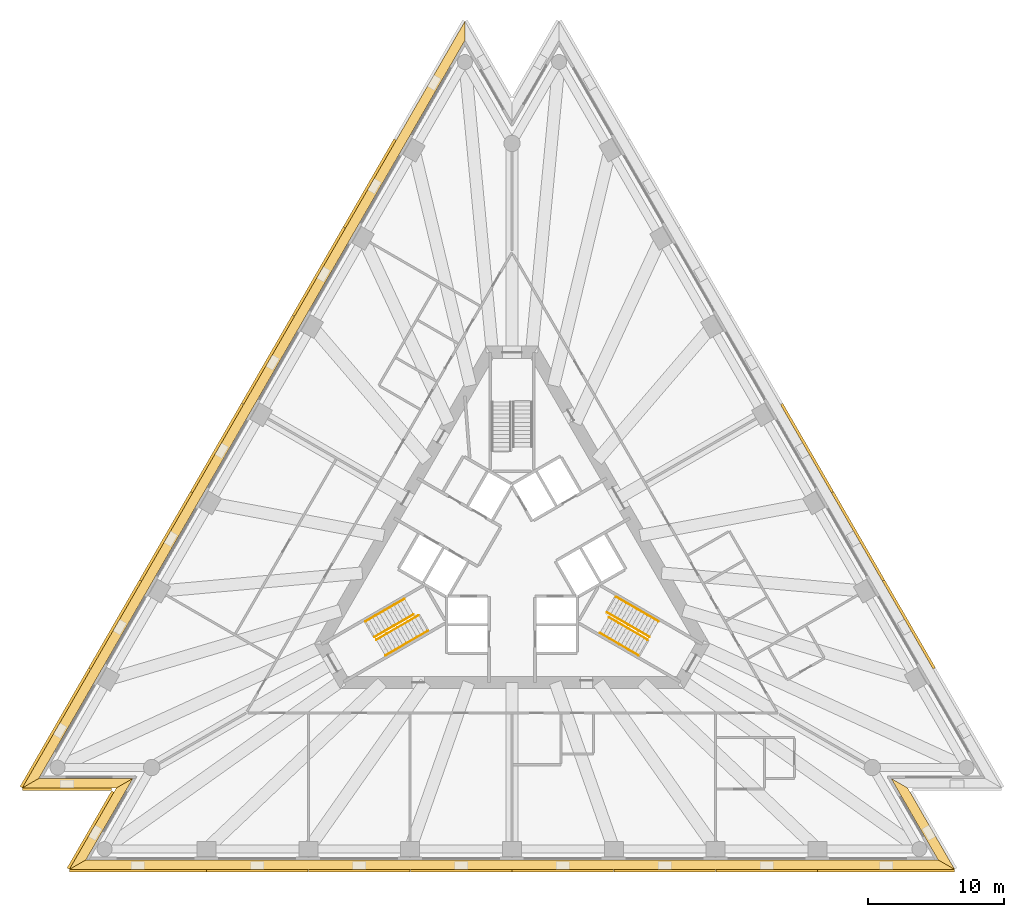
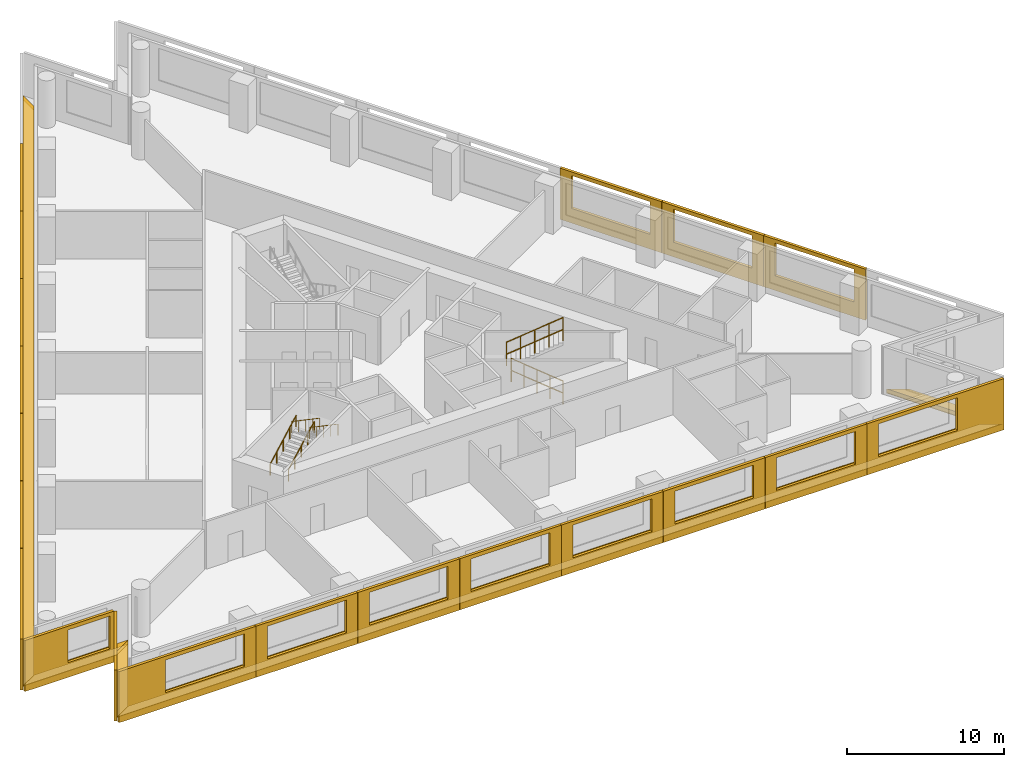
# One storey, part 8 of 9: 25 shading devices, 8 railings, 5 coverings, 2 elements without a shape of their own.
"""IFC4 building model written with IfcOpenShell, lengths in metres."""

from ifc_helpers import new_model, si_unit, direction, frame, origin, origin_2d, place, context, subcontext, project, spatial, polyline, circle, outline, extrude, material, layer, layer_set, layer_usage, type_object, element, aggregate, save


model = new_model("IFC4")

# Units and contexts
model_context = context("Model", 3, precision=1e-05, world=origin(), true_north=direction((0.0, 1.0)))
body_context = subcontext(model_context, "Body", "Model", "MODEL_VIEW")
ifc_project = project(units=[si_unit("LENGTHUNIT", "METRE"), si_unit("AREAUNIT", "SQUARE_METRE"), si_unit("VOLUMEUNIT", "CUBIC_METRE"), si_unit("PLANEANGLEUNIT", "RADIAN"), si_unit("MASSUNIT", "GRAM", prefix="KILO")], contexts=[model_context])

# Site, building, storey
site_placement = place(None, origin())
site = spatial("IfcSite", under=ifc_project, at=site_placement, CompositionType="ELEMENT")
building_placement = place(site_placement, origin())
building = spatial("IfcBuilding", under=site, at=building_placement, Name="Triada Interchange Tower", CompositionType="ELEMENT")
storey_placement = place(building_placement, frame((0.0, 0.0, 51.300048828125)))
storey = spatial("IfcBuildingStorey", under=building, at=storey_placement, Name="L10", CompositionType="ELEMENT", Elevation=51.300048828125)

# Coverings
ifc_material_1 = material(Name="Mineral fire-stop board")
ifc_layer_1 = layer(ifc_material_1, 0.0400390625, Name="Mineral fire-stop board")
ifc_material_2 = material(Name="Intumescent sealant")
ifc_layer_2 = layer(ifc_material_2, 0.010009765625, Name="Intumescent seal")
ifc_layer_set_1 = layer_set([ifc_layer_1, ifc_layer_2], Name="Cavity fire stop")
ifc_layer_usage = layer_usage(ifc_layer_set_1, "AXIS3", "POSITIVE", 0.0)
covering_type = type_object("IfcCoveringType", Name="Cavity fire stop", PredefinedType="INSULATION", material=ifc_layer_set_1)
covering_1_placement = place(storey_placement, origin())
element("IfcCovering", 1, at=covering_1_placement, inside=storey, type_object=covering_type, material=ifc_layer_usage, Name="Cavity fire stop L10 NW", PredefinedType="INSULATION", context=body_context, shape_type="SweptSolid", body=[
    extrude(outline(polyline([(-3.4619140625, 38.218017578125), (-3.4619140625, 39.617919921875), (-36.041015625, -16.81103515625), (-34.8291015625, -16.111083984375), (-3.4619140625, 38.218017578125)])), origin(), (0.0, 0.0, 1.0), 0.050048828125),
])
covering_2_placement = place(storey_placement, origin())
element("IfcCovering", 2, at=covering_2_placement, inside=storey, type_object=covering_type, material=ifc_layer_usage, Name="Cavity fire stop L10 SW-1", PredefinedType="INSULATION", context=body_context, shape_type="SweptSolid", body=[
    extrude(outline(polyline([(-34.8291015625, -16.111083984375), (-36.041015625, -16.81103515625), (-29.116943359375, -16.81103515625), (-27.905029296875, -16.111083984375), (-34.8291015625, -16.111083984375)])), origin(), (0.0, 0.0, 1.0), 0.050048828125),
])
covering_3_placement = place(storey_placement, origin())
element("IfcCovering", 3, at=covering_3_placement, inside=storey, type_object=covering_type, material=ifc_layer_usage, Name="Cavity fire stop L10 SW-2", PredefinedType="INSULATION", context=body_context, shape_type="SweptSolid", body=[
    extrude(outline(polyline([(-27.905029296875, -16.111083984375), (-29.116943359375, -16.81103515625), (-32.5791015625, -22.806884765625), (-31.366943359375, -22.10693359375), (-27.905029296875, -16.111083984375)])), origin(), (0.0, 0.0, 1.0), 0.050048828125),
])
covering_4_placement = place(storey_placement, origin())
element("IfcCovering", 4, at=covering_4_placement, inside=storey, type_object=covering_type, material=ifc_layer_usage, Name="Cavity fire stop L10 S", PredefinedType="INSULATION", context=body_context, shape_type="SweptSolid", body=[
    extrude(outline(polyline([(-31.366943359375, -22.10693359375), (-32.5791015625, -22.806884765625), (32.5791015625, -22.806884765625), (31.366943359375, -22.10693359375), (-31.366943359375, -22.10693359375)])), origin(), (0.0, 0.0, 1.0), 0.050048828125),
])
covering_5_placement = place(storey_placement, origin())
element("IfcCovering", 5, at=covering_5_placement, inside=storey, type_object=covering_type, material=ifc_layer_usage, Name="Cavity fire stop L10 SE-1", PredefinedType="INSULATION", context=body_context, shape_type="SweptSolid", body=[
    extrude(outline(polyline([(31.366943359375, -22.10693359375), (32.5791015625, -22.806884765625), (29.116943359375, -16.81103515625), (27.905029296875, -16.111083984375), (31.366943359375, -22.10693359375)])), origin(), (0.0, 0.0, 1.0), 0.050048828125),
])

# Shading devices
ifc_material_3 = material(Name="Aluminium louvre", Category="aluminium")
shading_device_type_1 = type_object("IfcShadingDeviceType", Name="Cavity louvre grille", PredefinedType="JALOUSIE", material=ifc_material_3)
shading_device_1_placement = place(storey_placement, frame((0.0, 0.0, 0.050048828125)))
element("IfcShadingDevice", 6, at=shading_device_1_placement, inside=storey, type_object=shading_device_type_1, Name="Cavity louvre grille L10 NW", PredefinedType="JALOUSIE", context=body_context, shape_type="SweptSolid", body=[
    extrude(outline(polyline([(-3.4619140625, 38.218017578125), (-3.4619140625, 39.617919921875), (-36.041015625, -16.81103515625), (-34.8291015625, -16.111083984375), (-3.4619140625, 38.218017578125)])), origin(), (0.0, 0.0, 1.0), 0.2998046875),
])
shading_device_2_placement = place(storey_placement, frame((0.0, 0.0, 0.050048828125)))
element("IfcShadingDevice", 7, at=shading_device_2_placement, inside=storey, type_object=shading_device_type_1, Name="Cavity louvre grille L10 SW-1", PredefinedType="JALOUSIE", context=body_context, shape_type="SweptSolid", body=[
    extrude(outline(polyline([(-34.8291015625, -16.111083984375), (-36.041015625, -16.81103515625), (-29.116943359375, -16.81103515625), (-27.905029296875, -16.111083984375), (-34.8291015625, -16.111083984375)])), origin(), (0.0, 0.0, 1.0), 0.2998046875),
])
shading_device_3_placement = place(storey_placement, frame((0.0, 0.0, 0.050048828125)))
element("IfcShadingDevice", 8, at=shading_device_3_placement, inside=storey, type_object=shading_device_type_1, Name="Cavity louvre grille L10 SW-2", PredefinedType="JALOUSIE", context=body_context, shape_type="SweptSolid", body=[
    extrude(outline(polyline([(-27.905029296875, -16.111083984375), (-29.116943359375, -16.81103515625), (-32.5791015625, -22.806884765625), (-31.366943359375, -22.10693359375), (-27.905029296875, -16.111083984375)])), origin(), (0.0, 0.0, 1.0), 0.2998046875),
])
shading_device_4_placement = place(storey_placement, frame((0.0, 0.0, 0.050048828125)))
element("IfcShadingDevice", 9, at=shading_device_4_placement, inside=storey, type_object=shading_device_type_1, Name="Cavity louvre grille L10 S", PredefinedType="JALOUSIE", context=body_context, shape_type="SweptSolid", body=[
    extrude(outline(polyline([(-31.366943359375, -22.10693359375), (-32.5791015625, -22.806884765625), (32.5791015625, -22.806884765625), (31.366943359375, -22.10693359375), (-31.366943359375, -22.10693359375)])), origin(), (0.0, 0.0, 1.0), 0.2998046875),
])
shading_device_5_placement = place(storey_placement, frame((0.0, 0.0, 0.050048828125)))
element("IfcShadingDevice", 10, at=shading_device_5_placement, inside=storey, type_object=shading_device_type_1, Name="Cavity louvre grille L10 SE-1", PredefinedType="JALOUSIE", context=body_context, shape_type="SweptSolid", body=[
    extrude(outline(polyline([(31.366943359375, -22.10693359375), (32.5791015625, -22.806884765625), (29.116943359375, -16.81103515625), (27.905029296875, -16.111083984375), (31.366943359375, -22.10693359375)])), origin(), (0.0, 0.0, 1.0), 0.2998046875),
])
ifc_material_4 = material(Name="Concrete C50/60 precast", Category="concrete")
ifc_layer_3 = layer(ifc_material_4, 0.02001953125, Name="Exposed aggregate face")
ifc_layer_4 = layer(ifc_material_4, 0.179931640625, Name="Precast concrete screen")
ifc_layer_set_2 = layer_set([ifc_layer_3, ifc_layer_4], Name="Outer skin screen panel 3980")
shading_device_type_2 = type_object("IfcShadingDeviceType", Name="Outer skin screen panel 3980", PredefinedType="SHUTTER", material=ifc_layer_set_2)
shading_device_6_placement = place(storey_placement, frame((-8.513916015625, 30.867919921875, -0.2900390625), z_axis=(0.0, 0.0, 1.0), x_axis=(-0.499936381736, -0.866062130691, 0.0)))
element("IfcShadingDevice", 11, at=shading_device_6_placement, inside=storey, type_object=shading_device_type_2, Name="Outer skin screen panel L10 02", PredefinedType="SHUTTER", context=body_context, shape_type="SweptSolid", body=[
    extrude(outline(polyline([(0.0, 0.0), (7.47509765625, 0.0), (7.47509765625, 3.97998046875), (0.0, 3.97998046875), (0.0, 0.0)]), holes=[polyline([(0.837158203125, 1.139892578125), (0.837158203125, 3.68994140625), (6.63720703125, 3.68994140625), (6.63720703125, 1.139892578125), (0.837158203125, 1.139892578125)])]), frame((0.0, 0.0, 0.0), z_axis=(0.0, -1.0, 0.0), x_axis=(1.0, 0.0, 0.0)), (0.0, 0.0, 1.0), 0.199951171875),
])
shading_device_7_placement = place(storey_placement, frame((-12.260986328125, 24.376953125, -0.2900390625), z_axis=(0.0, 0.0, 1.0), x_axis=(-0.50003436236, -0.866005563758, 0.0)))
element("IfcShadingDevice", 12, at=shading_device_7_placement, inside=storey, type_object=shading_device_type_2, Name="Outer skin screen panel L10 03", PredefinedType="SHUTTER", context=body_context, shape_type="SweptSolid", body=[
    extrude(outline(polyline([(0.0, 0.0), (7.4755859375, 0.0), (7.4755859375, 3.97998046875), (0.0, 3.97998046875), (0.0, 0.0)]), holes=[polyline([(0.837890625, 1.139892578125), (0.837890625, 3.68994140625), (6.637939453125, 3.68994140625), (6.637939453125, 1.139892578125), (0.837890625, 1.139892578125)])]), frame((0.0, 0.0, 0.0), z_axis=(0.0, -1.0, 0.0), x_axis=(1.0, 0.0, 0.0)), (0.0, 0.0, 1.0), 0.199951171875),
])
shading_device_8_placement = place(storey_placement, frame((-16.009033203125, 17.885986328125, -0.2900390625), z_axis=(0.0, 0.0, 1.0), x_axis=(-0.50003436236, -0.866005563758, 0.0)))
element("IfcShadingDevice", 13, at=shading_device_8_placement, inside=storey, type_object=shading_device_type_2, Name="Outer skin screen panel L10 04", PredefinedType="SHUTTER", context=body_context, shape_type="SweptSolid", body=[
    extrude(outline(polyline([(0.0, 0.0), (7.4755859375, 0.0), (7.4755859375, 3.97998046875), (0.0, 3.97998046875), (0.0, 0.0)]), holes=[polyline([(0.837646484375, 1.139892578125), (0.837646484375, 3.68994140625), (6.6376953125, 3.68994140625), (6.6376953125, 1.139892578125), (0.837646484375, 1.139892578125)])]), frame((0.0, 0.0, 0.0), z_axis=(0.0, -1.0, 0.0), x_axis=(1.0, 0.0, 0.0)), (0.0, 0.0, 1.0), 0.199951171875),
])
shading_device_9_placement = place(storey_placement, frame((-19.757080078125, 11.39501953125, -0.2900390625), z_axis=(0.0, 0.0, 1.0), x_axis=(-0.499897742873, -0.866084433915, 0.0)))
element("IfcShadingDevice", 14, at=shading_device_9_placement, inside=storey, type_object=shading_device_type_2, Name="Outer skin screen panel L10 05", PredefinedType="SHUTTER", context=body_context, shape_type="SweptSolid", body=[
    extrude(outline(polyline([(0.0, 0.0), (7.47509765625, 0.0), (7.47509765625, 3.97998046875), (0.0, 3.97998046875), (0.0, 0.0)]), holes=[polyline([(0.83740234375, 1.139892578125), (0.83740234375, 3.68994140625), (6.63720703125, 3.68994140625), (6.63720703125, 1.139892578125), (0.83740234375, 1.139892578125)])]), frame((0.0, 0.0, 0.0), z_axis=(0.0, -1.0, 0.0), x_axis=(1.0, 0.0, 0.0)), (0.0, 0.0, 1.0), 0.199951171875),
])
shading_device_10_placement = place(storey_placement, frame((-23.50390625, 4.904052734375, -0.2900390625), z_axis=(0.0, 0.0, 1.0), x_axis=(-0.500020220498, -0.86601372916, 0.0)))
element("IfcShadingDevice", 15, at=shading_device_10_placement, inside=storey, type_object=shading_device_type_2, Name="Outer skin screen panel L10 06", PredefinedType="SHUTTER", context=body_context, shape_type="SweptSolid", body=[
    extrude(outline(polyline([(0.0, 0.0), (7.475830078125, 0.0), (7.475830078125, 3.97998046875), (0.0, 3.97998046875), (0.0, 0.0)]), holes=[polyline([(0.838134765625, 1.139892578125), (0.838134765625, 3.68994140625), (6.63818359375, 3.68994140625), (6.63818359375, 1.139892578125), (0.838134765625, 1.139892578125)])]), frame((0.0, 0.0, 0.0), z_axis=(0.0, -1.0, 0.0), x_axis=(1.0, 0.0, 0.0)), (0.0, 0.0, 1.0), 0.199951171875),
])
shading_device_11_placement = place(storey_placement, frame((-27.251953125, -1.5869140625, -0.2900390625), z_axis=(0.0, 0.0, 1.0), x_axis=(-0.500020220498, -0.86601372916, 0.0)))
element("IfcShadingDevice", 16, at=shading_device_11_placement, inside=storey, type_object=shading_device_type_2, Name="Outer skin screen panel L10 07", PredefinedType="SHUTTER", context=body_context, shape_type="SweptSolid", body=[
    extrude(outline(polyline([(0.0, 0.0), (7.475830078125, 0.0), (7.475830078125, 3.97998046875), (0.0, 3.97998046875), (0.0, 0.0)]), holes=[polyline([(0.837890625, 1.139892578125), (0.837890625, 3.68994140625), (6.6376953125, 3.68994140625), (6.6376953125, 1.139892578125), (0.837890625, 1.139892578125)])]), frame((0.0, 0.0, 0.0), z_axis=(0.0, -1.0, 0.0), x_axis=(1.0, 0.0, 0.0)), (0.0, 0.0, 1.0), 0.199951171875),
])
shading_device_12_placement = place(storey_placement, frame((-31.0, -8.077880859375, -0.2900390625), z_axis=(0.0, 0.0, 1.0), x_axis=(-0.499926661183, -0.86606774183, 0.0)))
element("IfcShadingDevice", 17, at=shading_device_12_placement, inside=storey, type_object=shading_device_type_2, Name="Outer skin screen panel L10 08", PredefinedType="SHUTTER", context=body_context, shape_type="SweptSolid", body=[
    extrude(outline(polyline([(0.0, 0.0), (10.0732421875, 0.0), (10.0732421875, 3.97998046875), (0.0, 3.97998046875), (0.0, 0.0)]), holes=[polyline([(0.83740234375, 1.139892578125), (0.83740234375, 3.68994140625), (6.637451171875, 3.68994140625), (6.637451171875, 1.139892578125), (0.83740234375, 1.139892578125)])]), frame((0.0, 0.0, 0.0), z_axis=(0.0, -1.0, 0.0), x_axis=(1.0, 0.0, 0.0)), (0.0, 0.0, 1.0), 0.199951171875),
])
shading_device_13_placement = place(storey_placement, frame((-36.031005859375, -16.81103515625, -0.2900390625), z_axis=(0.0, 0.0, 1.0), x_axis=(1.0, 0.0, 0.0)))
element("IfcShadingDevice", 18, at=shading_device_13_placement, inside=storey, type_object=shading_device_type_2, Name="Outer skin screen panel L10 09", PredefinedType="SHUTTER", context=body_context, shape_type="SweptSolid", body=[
    extrude(outline(polyline([(0.0, 0.0), (6.556884765625, 0.0), (6.556884765625, 3.97998046875), (0.0, 3.97998046875), (0.0, 0.0)]), holes=[polyline([(3.175048828125, 1.139892578125), (3.175048828125, 3.68994140625), (6.257080078125, 3.68994140625), (6.257080078125, 1.139892578125), (3.175048828125, 1.139892578125)])]), frame((0.0, 0.0, 0.0), z_axis=(0.0, -1.0, 0.0), x_axis=(1.0, 0.0, 0.0)), (0.0, 0.0, 1.0), 0.199951171875),
])
shading_device_14_placement = place(storey_placement, frame((-29.2958984375, -17.1201171875, -0.2900390625), z_axis=(0.0, 0.0, 1.0), x_axis=(-0.499987845338, -0.866032421168, 0.0)))
element("IfcShadingDevice", 19, at=shading_device_14_placement, inside=storey, type_object=shading_device_type_2, Name="Outer skin screen panel L10 10", PredefinedType="SHUTTER", context=body_context, shape_type="SweptSolid", body=[
    extrude(outline(polyline([(0.0, 0.0), (6.556396484375, 0.0), (6.556396484375, 3.97998046875), (0.0, 3.97998046875), (0.0, 0.0)]), holes=[polyline([(0.300048828125, 1.139892578125), (0.300048828125, 3.68994140625), (2.9580078125, 3.68994140625), (2.9580078125, 1.139892578125), (0.300048828125, 1.139892578125)])]), frame((0.0, 0.0, 0.0), z_axis=(0.0, -1.0, 0.0), x_axis=(1.0, 0.0, 0.0)), (0.0, 0.0, 1.0), 0.199951171875),
])
shading_device_15_placement = place(storey_placement, frame((-32.569091796875, -22.806884765625, -0.2900390625), z_axis=(0.0, 0.0, 1.0), x_axis=(1.0, 0.0, 0.0)))
element("IfcShadingDevice", 20, at=shading_device_15_placement, inside=storey, type_object=shading_device_type_2, Name="Outer skin screen panel L10 11", PredefinedType="SHUTTER", context=body_context, shape_type="SweptSolid", body=[
    extrude(outline(polyline([(0.0, 0.0), (10.072998046875, 0.0), (10.072998046875, 3.97998046875), (0.0, 3.97998046875), (0.0, 0.0)]), holes=[polyline([(3.43603515625, 1.139892578125), (3.43603515625, 3.68994140625), (9.236083984375, 3.68994140625), (9.236083984375, 1.139892578125), (3.43603515625, 1.139892578125)])]), frame((0.0, 0.0, 0.0), z_axis=(0.0, -1.0, 0.0), x_axis=(1.0, 0.0, 0.0)), (0.0, 0.0, 1.0), 0.199951171875),
])
shading_device_16_placement = place(storey_placement, frame((-22.47607421875, -22.806884765625, -0.2900390625), z_axis=(0.0, 0.0, 1.0), x_axis=(1.0, 0.0, 0.0)))
element("IfcShadingDevice", 21, at=shading_device_16_placement, inside=storey, type_object=shading_device_type_2, Name="Outer skin screen panel L10 12", PredefinedType="SHUTTER", context=body_context, shape_type="SweptSolid", body=[
    extrude(outline(polyline([(0.0, 0.0), (7.47509765625, 0.0), (7.47509765625, 3.97998046875), (0.0, 3.97998046875), (0.0, 0.0)]), holes=[polyline([(0.837890625, 1.139892578125), (0.837890625, 3.68994140625), (6.6376953125, 3.68994140625), (6.6376953125, 1.139892578125), (0.837890625, 1.139892578125)])]), frame((0.0, 0.0, 0.0), z_axis=(0.0, -1.0, 0.0), x_axis=(1.0, 0.0, 0.0)), (0.0, 0.0, 1.0), 0.199951171875),
])
shading_device_17_placement = place(storey_placement, frame((-14.97998046875, -22.806884765625, -0.2900390625), z_axis=(0.0, 0.0, 1.0), x_axis=(1.0, 0.0, 0.0)))
element("IfcShadingDevice", 22, at=shading_device_17_placement, inside=storey, type_object=shading_device_type_2, Name="Outer skin screen panel L10 13", PredefinedType="SHUTTER", context=body_context, shape_type="SweptSolid", body=[
    extrude(outline(polyline([(0.0, 0.0), (7.47509765625, 0.0), (7.47509765625, 3.97998046875), (0.0, 3.97998046875), (0.0, 0.0)]), holes=[polyline([(0.83740234375, 1.139892578125), (0.83740234375, 3.68994140625), (6.637451171875, 3.68994140625), (6.637451171875, 1.139892578125), (0.83740234375, 1.139892578125)])]), frame((0.0, 0.0, 0.0), z_axis=(0.0, -1.0, 0.0), x_axis=(1.0, 0.0, 0.0)), (0.0, 0.0, 1.0), 0.199951171875),
])
shading_device_18_placement = place(storey_placement, frame((-7.485107421875, -22.806884765625, -0.2900390625), z_axis=(0.0, 0.0, 1.0), x_axis=(1.0, 0.0, 0.0)))
element("IfcShadingDevice", 23, at=shading_device_18_placement, inside=storey, type_object=shading_device_type_2, Name="Outer skin screen panel L10 14", PredefinedType="SHUTTER", context=body_context, shape_type="SweptSolid", body=[
    extrude(outline(polyline([(0.0, 0.0), (7.47509765625, 0.0), (7.47509765625, 3.97998046875), (0.0, 3.97998046875), (0.0, 0.0)]), holes=[polyline([(0.837158203125, 1.139892578125), (0.837158203125, 3.68994140625), (6.63720703125, 3.68994140625), (6.63720703125, 1.139892578125), (0.837158203125, 1.139892578125)])]), frame((0.0, 0.0, 0.0), z_axis=(0.0, -1.0, 0.0), x_axis=(1.0, 0.0, 0.0)), (0.0, 0.0, 1.0), 0.199951171875),
])
shading_device_19_placement = place(storey_placement, frame((0.010009765625, -22.806884765625, -0.2900390625), z_axis=(0.0, 0.0, 1.0), x_axis=(1.0, 0.0, 0.0)))
element("IfcShadingDevice", 24, at=shading_device_19_placement, inside=storey, type_object=shading_device_type_2, Name="Outer skin screen panel L10 15", PredefinedType="SHUTTER", context=body_context, shape_type="SweptSolid", body=[
    extrude(outline(polyline([(0.0, 0.0), (7.47509765625, 0.0), (7.47509765625, 3.97998046875), (0.0, 3.97998046875), (0.0, 0.0)]), holes=[polyline([(0.837890625, 1.139892578125), (0.837890625, 3.68994140625), (6.637939453125, 3.68994140625), (6.637939453125, 1.139892578125), (0.837890625, 1.139892578125)])]), frame((0.0, 0.0, 0.0), z_axis=(0.0, -1.0, 0.0), x_axis=(1.0, 0.0, 0.0)), (0.0, 0.0, 1.0), 0.199951171875),
])
shading_device_20_placement = place(storey_placement, frame((7.5048828125, -22.806884765625, -0.2900390625), z_axis=(0.0, 0.0, 1.0), x_axis=(1.0, 0.0, 0.0)))
element("IfcShadingDevice", 25, at=shading_device_20_placement, inside=storey, type_object=shading_device_type_2, Name="Outer skin screen panel L10 16", PredefinedType="SHUTTER", context=body_context, shape_type="SweptSolid", body=[
    extrude(outline(polyline([(0.0, 0.0), (7.47607421875, 0.0), (7.47607421875, 3.97998046875), (0.0, 3.97998046875), (0.0, 0.0)]), holes=[polyline([(0.837646484375, 1.139892578125), (0.837646484375, 3.68994140625), (6.6376953125, 3.68994140625), (6.6376953125, 1.139892578125), (0.837646484375, 1.139892578125)])]), frame((0.0, 0.0, 0.0), z_axis=(0.0, -1.0, 0.0), x_axis=(1.0, 0.0, 0.0)), (0.0, 0.0, 1.0), 0.199951171875),
])
shading_device_21_placement = place(storey_placement, frame((15.0009765625, -22.806884765625, -0.2900390625), z_axis=(0.0, 0.0, 1.0), x_axis=(1.0, 0.0, 0.0)))
element("IfcShadingDevice", 26, at=shading_device_21_placement, inside=storey, type_object=shading_device_type_2, Name="Outer skin screen panel L10 17", PredefinedType="SHUTTER", context=body_context, shape_type="SweptSolid", body=[
    extrude(outline(polyline([(0.0, 0.0), (7.47509765625, 0.0), (7.47509765625, 3.97998046875), (0.0, 3.97998046875), (0.0, 0.0)]), holes=[polyline([(0.83740234375, 1.139892578125), (0.83740234375, 3.68994140625), (6.637451171875, 3.68994140625), (6.637451171875, 1.139892578125), (0.83740234375, 1.139892578125)])]), frame((0.0, 0.0, 0.0), z_axis=(0.0, -1.0, 0.0), x_axis=(1.0, 0.0, 0.0)), (0.0, 0.0, 1.0), 0.199951171875),
])
shading_device_22_placement = place(storey_placement, frame((22.49609375, -22.806884765625, -0.2900390625), z_axis=(0.0, 0.0, 1.0), x_axis=(1.0, 0.0, 0.0)))
element("IfcShadingDevice", 27, at=shading_device_22_placement, inside=storey, type_object=shading_device_type_2, Name="Outer skin screen panel L10 18", PredefinedType="SHUTTER", context=body_context, shape_type="SweptSolid", body=[
    extrude(outline(polyline([(0.0, 0.0), (10.072998046875, 0.0), (10.072998046875, 3.97998046875), (0.0, 3.97998046875), (0.0, 0.0)]), holes=[polyline([(0.837158203125, 1.139892578125), (0.837158203125, 3.68994140625), (6.63720703125, 3.68994140625), (6.63720703125, 1.139892578125), (0.837158203125, 1.139892578125)])]), frame((0.0, 0.0, 0.0), z_axis=(0.0, -1.0, 0.0), x_axis=(1.0, 0.0, 0.0)), (0.0, 0.0, 1.0), 0.199951171875),
])
shading_device_23_placement = place(storey_placement, frame((30.989990234375, -8.06103515625, -0.2900390625), z_axis=(0.0, 0.0, 1.0), x_axis=(-0.500020220498, 0.86601372916, 0.0)))
element("IfcShadingDevice", 28, at=shading_device_23_placement, inside=storey, type_object=shading_device_type_2, Name="Outer skin screen panel L10 22", PredefinedType="SHUTTER", context=body_context, shape_type="SweptSolid", body=[
    extrude(outline(polyline([(0.0, 0.0), (7.475830078125, 0.0), (7.475830078125, 3.97998046875), (0.0, 3.97998046875), (0.0, 0.0)]), holes=[polyline([(0.837890625, 1.139892578125), (0.837890625, 3.68994140625), (6.637939453125, 3.68994140625), (6.637939453125, 1.139892578125), (0.837890625, 1.139892578125)])]), frame((0.0, 0.0, 0.0), z_axis=(0.0, -1.0, 0.0), x_axis=(1.0, 0.0, 0.0)), (0.0, 0.0, 1.0), 0.199951171875),
])
shading_device_24_placement = place(storey_placement, frame((27.241943359375, -1.570068359375, -0.2900390625), z_axis=(0.0, 0.0, 1.0), x_axis=(-0.500020220498, 0.86601372916, 0.0)))
element("IfcShadingDevice", 29, at=shading_device_24_placement, inside=storey, type_object=shading_device_type_2, Name="Outer skin screen panel L10 23", PredefinedType="SHUTTER", context=body_context, shape_type="SweptSolid", body=[
    extrude(outline(polyline([(0.0, 0.0), (7.475830078125, 0.0), (7.475830078125, 3.97998046875), (0.0, 3.97998046875), (0.0, 0.0)]), holes=[polyline([(0.837646484375, 1.139892578125), (0.837646484375, 3.68994140625), (6.6376953125, 3.68994140625), (6.6376953125, 1.139892578125), (0.837646484375, 1.139892578125)])]), frame((0.0, 0.0, 0.0), z_axis=(0.0, -1.0, 0.0), x_axis=(1.0, 0.0, 0.0)), (0.0, 0.0, 1.0), 0.199951171875),
])
shading_device_25_placement = place(storey_placement, frame((23.493896484375, 4.9208984375, -0.2900390625), z_axis=(0.0, 0.0, 1.0), x_axis=(-0.499897742873, 0.866084433915, 0.0)))
element("IfcShadingDevice", 30, at=shading_device_25_placement, inside=storey, type_object=shading_device_type_2, Name="Outer skin screen panel L10 24", PredefinedType="SHUTTER", context=body_context, shape_type="SweptSolid", body=[
    extrude(outline(polyline([(0.0, 0.0), (7.47509765625, 0.0), (7.47509765625, 3.97998046875), (0.0, 3.97998046875), (0.0, 0.0)]), holes=[polyline([(0.83740234375, 1.139892578125), (0.83740234375, 3.68994140625), (6.637451171875, 3.68994140625), (6.637451171875, 1.139892578125), (0.83740234375, 1.139892578125)])]), frame((0.0, 0.0, 0.0), z_axis=(0.0, -1.0, 0.0), x_axis=(1.0, 0.0, 0.0)), (0.0, 0.0, 1.0), 0.199951171875),
])

# Stair, railings
ifc_material_5 = material(Name="Concrete C35/45", Category="concrete")
stair_type = type_object("IfcStairType", Name="HALF TURN STAIR 1400", PredefinedType="HALF_TURN_STAIR", material=ifc_material_5)
stair_1_placement = place(storey_placement, origin())
stair_1 = element("IfcStair", 31, at=stair_1_placement, inside=storey, type_object=stair_type, Name="Exit stair S09-2", PredefinedType="HALF_TURN_STAIR")
ifc_material_6 = material(Name="Stainless steel 1.4301", Category="steel")
railing_type = type_object("IfcRailingType", Name="STAIR HANDRAIL 900", PredefinedType="HANDRAIL", material=ifc_material_6)
railing_1_placement = place(storey_placement, frame((-10.77099609375, -4.5439453125, 0.159912109375)))
railing_1 = element("IfcRailing", 32, at=railing_1_placement, type_object=railing_type, Name="Handrail S09-2 1W", PredefinedType="HANDRAIL", context=body_context, shape_type="SweptSolid", body=[
    extrude(circle(Radius=0.02392578125, at=origin_2d()), frame((0.0, 0.0, 0.8759765625), z_axis=(0.764150854273, 0.441152526326, 0.470593158077), x_axis=(-0.499974350878, 0.866040211805, 0.0)), (0.0, 0.0, 1.0), 3.739990234375),
    extrude(circle(Radius=0.02099609375, at=origin_2d()), origin(), (0.0, 0.0, 1.0), 0.851806640625),
    extrude(circle(Radius=0.02099609375, at=origin_2d()), frame((0.71435546875, 0.41259765625, 0.43994140625)), (0.0, 0.0, 1.0), 0.851806640625),
    extrude(circle(Radius=0.02099609375, at=origin_2d()), frame((1.428955078125, 0.824951171875, 0.8798828125)), (0.0, 0.0, 1.0), 0.851806640625),
    extrude(circle(Radius=0.02099609375, at=origin_2d()), frame((2.1435546875, 1.2373046875, 1.320068359375)), (0.0, 0.0, 1.0), 0.851806640625),
    extrude(circle(Radius=0.02099609375, at=origin_2d()), frame((2.85791015625, 1.64990234375, 1.760009765625)), (0.0, 0.0, 1.0), 0.851806640625),
])
railing_2_placement = place(storey_placement, frame((-10.10595703125, -5.696044921875, 0.159912109375)))
railing_2 = element("IfcRailing", 33, at=railing_2_placement, type_object=railing_type, Name="Handrail S09-2 1C", PredefinedType="HANDRAIL", context=body_context, shape_type="SweptSolid", body=[
    extrude(circle(Radius=0.02392578125, at=origin_2d()), frame((0.0, 0.0, 0.8759765625), z_axis=(0.76412884773, 0.441205098395, 0.470579605611), x_axis=(-0.50002983664, 0.866008176907, 0.0)), (0.0, 0.0, 1.0), 3.739990234375),
    extrude(circle(Radius=0.02099609375, at=origin_2d()), origin(), (0.0, 0.0, 1.0), 0.851806640625),
    extrude(circle(Radius=0.02099609375, at=origin_2d()), frame((0.71435546875, 0.41259765625, 0.43994140625)), (0.0, 0.0, 1.0), 0.851806640625),
    extrude(circle(Radius=0.02099609375, at=origin_2d()), frame((1.428955078125, 0.8251953125, 0.8798828125)), (0.0, 0.0, 1.0), 0.851806640625),
    extrude(circle(Radius=0.02099609375, at=origin_2d()), frame((2.1435546875, 1.237548828125, 1.320068359375)), (0.0, 0.0, 1.0), 0.851806640625),
    extrude(circle(Radius=0.02099609375, at=origin_2d()), frame((2.85791015625, 1.650146484375, 1.760009765625)), (0.0, 0.0, 1.0), 0.851806640625),
])
railing_3_placement = place(storey_placement, frame((-6.202880859375, -5.256103515625, 2.079833984375)))
railing_3 = element("IfcRailing", 34, at=railing_3_placement, type_object=railing_type, Name="Handrail S09-2 2W", PredefinedType="HANDRAIL", context=body_context, shape_type="SweptSolid", body=[
    extrude(circle(Radius=0.02392578125, at=origin_2d()), frame((0.0, 0.0, 0.8759765625), z_axis=(-0.764189758314, -0.441090424232, 0.470588196769), x_axis=(0.499902469156, -0.866081705922, 0.0)), (0.0, 0.0, 1.0), 4.080322265625),
    extrude(circle(Radius=0.02099609375, at=origin_2d()), origin(), (0.0, 0.0, 1.0), 0.851806640625),
    extrude(circle(Radius=0.02099609375, at=origin_2d()), frame((-0.779541015625, -0.449951171875, 0.47998046875)), (0.0, 0.0, 1.0), 0.851806640625),
    extrude(circle(Radius=0.02099609375, at=origin_2d()), frame((-1.55908203125, -0.89990234375, 0.9599609375)), (0.0, 0.0, 1.0), 0.851806640625),
    extrude(circle(Radius=0.02099609375, at=origin_2d()), frame((-2.338623046875, -1.349853515625, 1.440185546875)), (0.0, 0.0, 1.0), 0.851806640625),
    extrude(circle(Radius=0.02099609375, at=origin_2d()), frame((-3.1181640625, -1.7998046875, 1.920166015625)), (0.0, 0.0, 1.0), 0.851806640625),
])
railing_4_placement = place(storey_placement, frame((-6.867919921875, -4.10400390625, 2.079833984375)))
railing_4 = element("IfcRailing", 35, at=railing_4_placement, type_object=railing_type, Name="Handrail S09-2 2C", PredefinedType="HANDRAIL", context=body_context, shape_type="SweptSolid", body=[
    extrude(circle(Radius=0.02392578125, at=origin_2d()), frame((0.0, 0.0, 0.8759765625), z_axis=(-0.764169589359, -0.441138614339, 0.470575776723), x_axis=(0.49995333141, -0.866052346231, 0.0)), (0.0, 0.0, 1.0), 4.08056640625),
    extrude(circle(Radius=0.02099609375, at=origin_2d()), origin(), (0.0, 0.0, 1.0), 0.851806640625),
    extrude(circle(Radius=0.02099609375, at=origin_2d()), frame((-0.779541015625, -0.449951171875, 0.47998046875)), (0.0, 0.0, 1.0), 0.851806640625),
    extrude(circle(Radius=0.02099609375, at=origin_2d()), frame((-1.55908203125, -0.89990234375, 0.9599609375)), (0.0, 0.0, 1.0), 0.851806640625),
    extrude(circle(Radius=0.02099609375, at=origin_2d()), frame((-2.338623046875, -1.35009765625, 1.440185546875)), (0.0, 0.0, 1.0), 0.851806640625),
    extrude(circle(Radius=0.02099609375, at=origin_2d()), frame((-3.1181640625, -1.800048828125, 1.920166015625)), (0.0, 0.0, 1.0), 0.851806640625),
])
aggregate(stair_1, [railing_1, railing_2, railing_3, railing_4])

stair_2_placement = place(storey_placement, origin())
stair_2 = element("IfcStair", 36, at=stair_2_placement, inside=storey, type_object=stair_type, Name="Exit stair S09-3", PredefinedType="HALF_TURN_STAIR")
railing_5_placement = place(storey_placement, frame((9.321044921875, -7.055908203125, 0.159912109375)))
railing_5 = element("IfcRailing", 37, at=railing_5_placement, type_object=railing_type, Name="Handrail S09-3 1W", PredefinedType="HANDRAIL", context=body_context, shape_type="SweptSolid", body=[
    extrude(circle(Radius=0.02392578125, at=origin_2d()), frame((0.0, 0.0, 0.8759765625), z_axis=(-0.764178012919, 0.441130521168, 0.470569684388), x_axis=(-0.499942318283, -0.866058703778, 0.0)), (0.0, 0.0, 1.0), 3.740234375),
    extrude(circle(Radius=0.02099609375, at=origin_2d()), origin(), (0.0, 0.0, 1.0), 0.851806640625),
    extrude(circle(Radius=0.02099609375, at=origin_2d()), frame((-0.714599609375, 0.41259765625, 0.43994140625)), (0.0, 0.0, 1.0), 0.851806640625),
    extrude(circle(Radius=0.02099609375, at=origin_2d()), frame((-1.42919921875, 0.824951171875, 0.8798828125)), (0.0, 0.0, 1.0), 0.851806640625),
    extrude(circle(Radius=0.02099609375, at=origin_2d()), frame((-2.1435546875, 1.2373046875, 1.320068359375)), (0.0, 0.0, 1.0), 0.851806640625),
    extrude(circle(Radius=0.02099609375, at=origin_2d()), frame((-2.858154296875, 1.64990234375, 1.760009765625)), (0.0, 0.0, 1.0), 0.851806640625),
])
railing_6_placement = place(storey_placement, frame((9.986083984375, -5.904052734375, 0.159912109375)))
railing_6 = element("IfcRailing", 38, at=railing_6_placement, type_object=railing_type, Name="Handrail S09-3 1C", PredefinedType="HANDRAIL", context=body_context, shape_type="SweptSolid", body=[
    extrude(circle(Radius=0.02392578125, at=origin_2d()), frame((0.0, 0.0, 0.8759765625), z_axis=(-0.764156007789, 0.441183091881, 0.47055613395), x_axis=(-0.49999780286, -0.8660266723, 0.0)), (0.0, 0.0, 1.0), 3.740234375),
    extrude(circle(Radius=0.02099609375, at=origin_2d()), origin(), (0.0, 0.0, 1.0), 0.851806640625),
    extrude(circle(Radius=0.02099609375, at=origin_2d()), frame((-0.714599609375, 0.41259765625, 0.43994140625)), (0.0, 0.0, 1.0), 0.851806640625),
    extrude(circle(Radius=0.02099609375, at=origin_2d()), frame((-1.42919921875, 0.8251953125, 0.8798828125)), (0.0, 0.0, 1.0), 0.851806640625),
    extrude(circle(Radius=0.02099609375, at=origin_2d()), frame((-2.1435546875, 1.237548828125, 1.320068359375)), (0.0, 0.0, 1.0), 0.851806640625),
    extrude(circle(Radius=0.02099609375, at=origin_2d()), frame((-2.858154296875, 1.650146484375, 1.760009765625)), (0.0, 0.0, 1.0), 0.851806640625),
])
railing_7_placement = place(storey_placement, frame((7.653076171875, -2.743896484375, 2.079833984375)))
railing_7 = element("IfcRailing", 39, at=railing_7_placement, type_object=railing_type, Name="Handrail S09-3 2W", PredefinedType="HANDRAIL", context=body_context, shape_type="SweptSolid", body=[
    extrude(circle(Radius=0.02392578125, at=origin_2d()), frame((0.0, 0.0, 0.8759765625), z_axis=(0.76414469501, -0.441158784458, 0.470597292793), x_axis=(0.499982693035, 0.866035395735, 0.0)), (0.0, 0.0, 1.0), 4.080322265625),
    extrude(circle(Radius=0.02099609375, at=origin_2d()), origin(), (0.0, 0.0, 1.0), 0.851806640625),
    extrude(circle(Radius=0.02099609375, at=origin_2d()), frame((0.779541015625, -0.449951171875, 0.47998046875)), (0.0, 0.0, 1.0), 0.851806640625),
    extrude(circle(Radius=0.02099609375, at=origin_2d()), frame((1.55908203125, -0.89990234375, 0.9599609375)), (0.0, 0.0, 1.0), 0.851806640625),
    extrude(circle(Radius=0.02099609375, at=origin_2d()), frame((2.33837890625, -1.35009765625, 1.440185546875)), (0.0, 0.0, 1.0), 0.851806640625),
    extrude(circle(Radius=0.02099609375, at=origin_2d()), frame((3.117919921875, -1.800048828125, 1.920166015625)), (0.0, 0.0, 1.0), 0.851806640625),
])
railing_8_placement = place(storey_placement, frame((6.988037109375, -3.89599609375, 2.079833984375)))
railing_8 = element("IfcRailing", 40, at=railing_8_placement, type_object=railing_type, Name="Handrail S09-3 2C", PredefinedType="HANDRAIL", context=body_context, shape_type="SweptSolid", body=[
    extrude(circle(Radius=0.02392578125, at=origin_2d()), frame((0.0, 0.0, 0.8759765625), z_axis=(0.76414469501, -0.441158784458, 0.470597292793), x_axis=(0.499982693035, 0.866035395735, 0.0)), (0.0, 0.0, 1.0), 4.080322265625),
    extrude(circle(Radius=0.02099609375, at=origin_2d()), origin(), (0.0, 0.0, 1.0), 0.851806640625),
    extrude(circle(Radius=0.02099609375, at=origin_2d()), frame((0.779541015625, -0.449951171875, 0.47998046875)), (0.0, 0.0, 1.0), 0.851806640625),
    extrude(circle(Radius=0.02099609375, at=origin_2d()), frame((1.55908203125, -0.89990234375, 0.9599609375)), (0.0, 0.0, 1.0), 0.851806640625),
    extrude(circle(Radius=0.02099609375, at=origin_2d()), frame((2.33837890625, -1.35009765625, 1.440185546875)), (0.0, 0.0, 1.0), 0.851806640625),
    extrude(circle(Radius=0.02099609375, at=origin_2d()), frame((3.117919921875, -1.800048828125, 1.920166015625)), (0.0, 0.0, 1.0), 0.851806640625),
])
aggregate(stair_2, [railing_5, railing_6, railing_7, railing_8])

save(model, "model.ifc")
